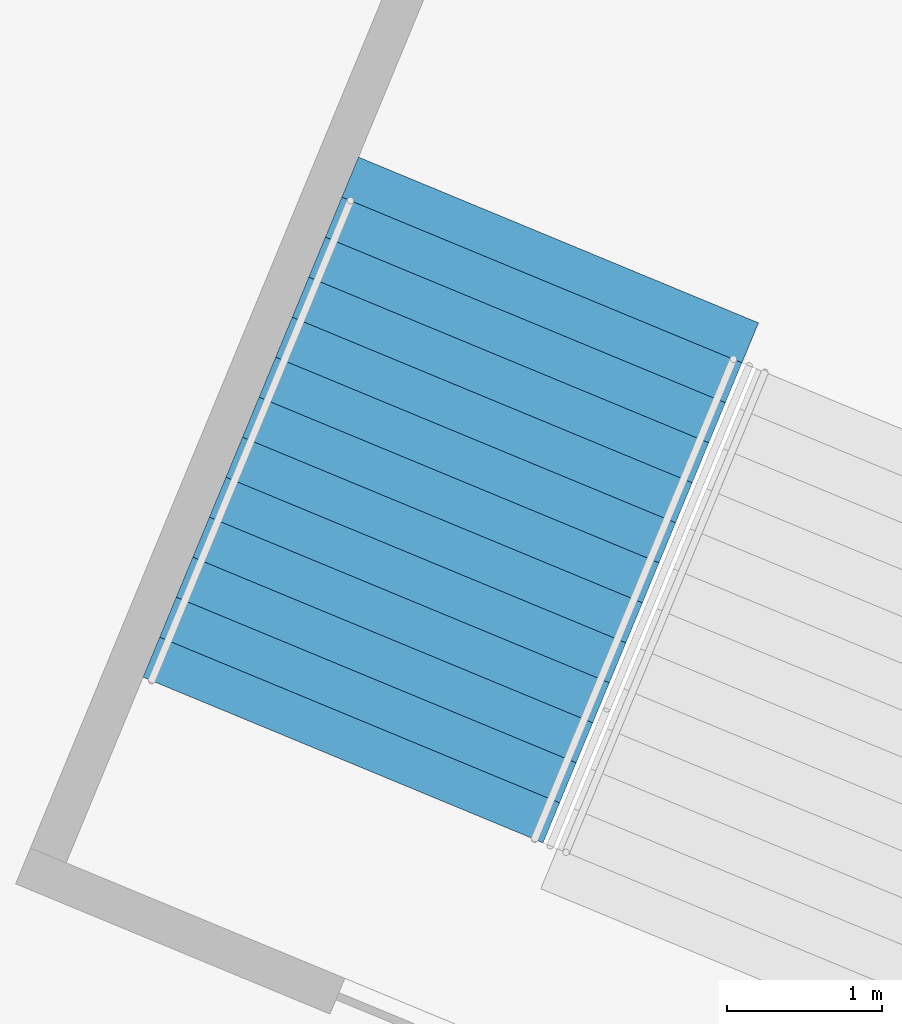
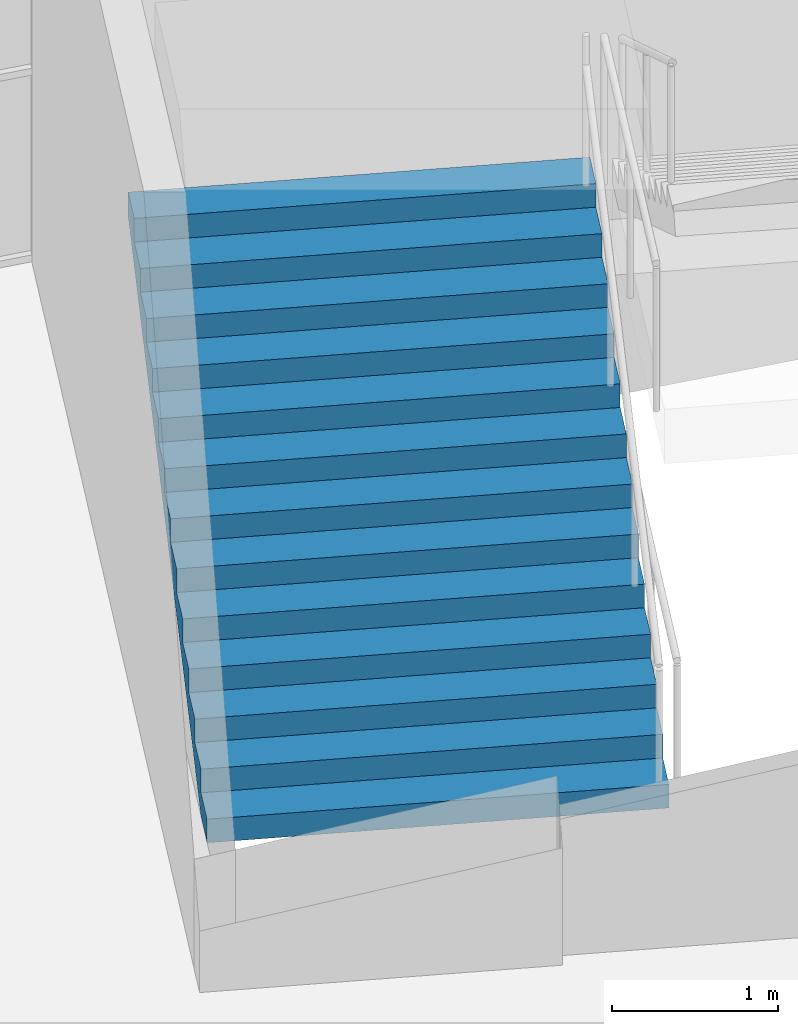
# One storey, part 179 of 199: 1 stair flight, 1 element without a shape of its own.
"""IFC4 building model written with IfcOpenShell, lengths in metres."""

from ifc_helpers import new_model, si_unit, direction, frame, origin, place, context, subcontext, project, spatial, faceted_brep, material, type_object, element, aggregate, save


model = new_model("IFC4")

# Units and contexts
model_context = context("Model", 3, precision=1e-05, world=origin(), true_north=direction((0.0, 1.0)))
body_context = subcontext(model_context, "Body", "Model", "MODEL_VIEW")
ifc_project = project(units=[si_unit("LENGTHUNIT", "METRE"), si_unit("AREAUNIT", "SQUARE_METRE"), si_unit("VOLUMEUNIT", "CUBIC_METRE"), si_unit("PLANEANGLEUNIT", "RADIAN"), si_unit("MASSUNIT", "GRAM", prefix="KILO")], contexts=[model_context])

# Site, building, storey
site_placement = place(None, origin())
site = spatial("IfcSite", under=ifc_project, at=site_placement, CompositionType="ELEMENT")
building_placement = place(site_placement, origin())
building = spatial("IfcBuilding", under=site, at=building_placement, Name="Ogive Plaza Stadium", CompositionType="ELEMENT")
storey_placement = place(building_placement, frame((0.0, 0.0, 9.0)))
storey = spatial("IfcBuildingStorey", under=building, at=storey_placement, Name="L02", CompositionType="ELEMENT", Elevation=9.0)

# Stair, stair flight
ifc_material_1 = material(Name="Concrete C40/50", Category="concrete")
stair_type = type_object("IfcStairType", Name="Exit stair", PredefinedType="STRAIGHT_RUN_STAIR", material=ifc_material_1)
stair_placement = place(storey_placement, origin())
stair = element("IfcStair", 1, at=stair_placement, inside=storey, type_object=stair_type, Name="Exit stair ST38B L02 to L03", PredefinedType="STRAIGHT_RUN_STAIR")
ifc_material_2 = material(Name="Concrete C40/50", Category="concrete")
stair_flight_type = type_object("IfcStairFlightType", Name="Exit stair flight", PredefinedType="STRAIGHT", material=ifc_material_2)
stair_flight_placement = place(storey_placement, frame((46.118408203125, 93.319580078125, 0.0), z_axis=(0.0, 0.0, 1.0), x_axis=(0.382683432365, 0.923879532511, 0.0)))
stair_flight = element("IfcStairFlight", 2, at=stair_flight_placement, type_object=stair_flight_type, Name="ST38B flight 1", NumberOfRisers=13, NumberOfTreads=12, PredefinedType="STRAIGHT", RiserHeight=0.173076923, TreadLength=0.28, context=body_context, shape_type="Brep", body=[
    faceted_brep([(0.28515625, -1.39990234375, 0.0), (3.639892578125, -1.39990234375, 2.07373046875), (3.639892578125, -1.39990234375, 2.25), (3.360107421875, -1.39990234375, 2.25), (3.360107421875, -1.39990234375, 2.076904296875), (3.080078125, -1.39990234375, 2.076904296875), (3.080078125, -1.39990234375, 1.90380859375), (2.800048828125, -1.39990234375, 1.90380859375), (2.800048828125, -1.39990234375, 1.730712890625), (2.52001953125, -1.39990234375, 1.730712890625), (2.52001953125, -1.39990234375, 1.5576171875), (2.239990234375, -1.39990234375, 1.5576171875), (2.239990234375, -1.39990234375, 1.384521484375), (1.9599609375, -1.39990234375, 1.384521484375), (1.9599609375, -1.39990234375, 1.21142578125), (1.679931640625, -1.39990234375, 1.21142578125), (1.679931640625, -1.39990234375, 1.03857421875), (1.39990234375, -1.39990234375, 1.03857421875), (1.39990234375, -1.39990234375, 0.865478515625), (1.1201171875, -1.39990234375, 0.865478515625), (1.1201171875, -1.39990234375, 0.6923828125), (0.840087890625, -1.39990234375, 0.6923828125), (0.840087890625, -1.39990234375, 0.519287109375), (0.56005859375, -1.39990234375, 0.519287109375), (0.56005859375, -1.39990234375, 0.34619140625), (0.280029296875, -1.39990234375, 0.34619140625), (0.280029296875, -1.39990234375, 0.173095703125), (0.0, -1.39990234375, 0.173095703125), (0.0, -1.39990234375, 0.0), (0.0, 1.39990234375, 0.0), (0.0, 1.39990234375, 0.173095703125), (0.280029296875, 1.39990234375, 0.173095703125), (0.280029296875, 1.39990234375, 0.34619140625), (0.56005859375, 1.39990234375, 0.34619140625), (0.56005859375, 1.39990234375, 0.519287109375), (0.840087890625, 1.39990234375, 0.519287109375), (0.840087890625, 1.39990234375, 0.6923828125), (1.1201171875, 1.39990234375, 0.6923828125), (1.1201171875, 1.39990234375, 0.865478515625), (1.39990234375, 1.39990234375, 0.865478515625), (1.39990234375, 1.39990234375, 1.03857421875), (1.679931640625, 1.39990234375, 1.03857421875), (1.679931640625, 1.39990234375, 1.21142578125), (1.9599609375, 1.39990234375, 1.21142578125), (1.9599609375, 1.39990234375, 1.384521484375), (2.239990234375, 1.39990234375, 1.384521484375), (2.239990234375, 1.39990234375, 1.5576171875), (2.52001953125, 1.39990234375, 1.5576171875), (2.52001953125, 1.39990234375, 1.730712890625), (2.800048828125, 1.39990234375, 1.730712890625), (2.800048828125, 1.39990234375, 1.90380859375), (3.080078125, 1.39990234375, 1.90380859375), (3.080078125, 1.39990234375, 2.076904296875), (3.360107421875, 1.39990234375, 2.076904296875), (3.360107421875, 1.39990234375, 2.25), (3.639892578125, 1.39990234375, 2.25), (3.639892578125, 1.39990234375, 2.07373046875), (0.28515625, 1.39990234375, 0.0), (0.28515625, -1.0888671875, 0.0), (3.639892578125, -1.0888671875, 2.07373046875), (0.28515625, -0.77783203125, 0.0), (3.639892578125, -0.77783203125, 2.07373046875), (0.28515625, -0.466796875, 0.0), (3.639892578125, -0.466796875, 2.07373046875), (0.28515625, -0.155517578125, 0.0), (3.639892578125, -0.155517578125, 2.07373046875), (0.28515625, 0.155517578125, 0.0), (3.639892578125, 0.155517578125, 2.07373046875), (0.28515625, 0.466796875, 0.0), (3.639892578125, 0.466796875, 2.07373046875), (0.28515625, 0.77783203125, 0.0), (3.639892578125, 0.77783203125, 2.07373046875), (0.28515625, 1.0888671875, 0.0), (3.639892578125, 1.0888671875, 2.07373046875), (3.639892578125, -1.0888671875, 2.25), (3.639892578125, -0.77783203125, 2.25), (3.639892578125, -0.466796875, 2.25), (3.639892578125, -0.155517578125, 2.25), (3.639892578125, 0.155517578125, 2.25), (3.639892578125, 0.466796875, 2.25), (3.639892578125, 0.77783203125, 2.25), (3.639892578125, 1.0888671875, 2.25), (3.360107421875, -1.0888671875, 2.25), (3.360107421875, -0.77783203125, 2.25), (3.360107421875, -0.466796875, 2.25), (3.360107421875, -0.155517578125, 2.25), (3.360107421875, 0.155517578125, 2.25), (3.360107421875, 0.466796875, 2.25), (3.360107421875, 0.77783203125, 2.25), (3.360107421875, 1.0888671875, 2.25), (3.360107421875, -1.0888671875, 2.076904296875), (3.360107421875, -0.77783203125, 2.076904296875), (3.360107421875, -0.466796875, 2.076904296875), (3.360107421875, -0.155517578125, 2.076904296875), (3.360107421875, 0.155517578125, 2.076904296875), (3.360107421875, 0.466796875, 2.076904296875), (3.360107421875, 0.77783203125, 2.076904296875), (3.360107421875, 1.0888671875, 2.076904296875), (3.080078125, -1.0888671875, 2.076904296875), (3.080078125, -0.77783203125, 2.076904296875), (3.080078125, -0.466796875, 2.076904296875), (3.080078125, -0.155517578125, 2.076904296875), (3.080078125, 0.155517578125, 2.076904296875), (3.080078125, 0.466796875, 2.076904296875), (3.080078125, 0.77783203125, 2.076904296875), (3.080078125, 1.0888671875, 2.076904296875), (3.080078125, -1.0888671875, 1.90380859375), (3.080078125, -0.77783203125, 1.90380859375), (3.080078125, -0.466796875, 1.90380859375), (3.080078125, -0.155517578125, 1.90380859375), (3.080078125, 0.155517578125, 1.90380859375), (3.080078125, 0.466796875, 1.90380859375), (3.080078125, 0.77783203125, 1.90380859375), (3.080078125, 1.0888671875, 1.90380859375), (2.800048828125, -1.0888671875, 1.90380859375), (2.800048828125, -0.77783203125, 1.90380859375), (2.800048828125, -0.466796875, 1.90380859375), (2.800048828125, -0.155517578125, 1.90380859375), (2.800048828125, 0.155517578125, 1.90380859375), (2.800048828125, 0.466796875, 1.90380859375), (2.800048828125, 0.77783203125, 1.90380859375), (2.800048828125, 1.0888671875, 1.90380859375), (2.800048828125, -1.0888671875, 1.730712890625), (2.800048828125, -0.77783203125, 1.730712890625), (2.800048828125, -0.466796875, 1.730712890625), (2.800048828125, -0.155517578125, 1.730712890625), (2.800048828125, 0.155517578125, 1.730712890625), (2.800048828125, 0.466796875, 1.730712890625), (2.800048828125, 0.77783203125, 1.730712890625), (2.800048828125, 1.0888671875, 1.730712890625), (2.52001953125, -1.0888671875, 1.730712890625), (2.52001953125, -0.77783203125, 1.730712890625), (2.52001953125, -0.466796875, 1.730712890625), (2.52001953125, -0.155517578125, 1.730712890625), (2.52001953125, 0.155517578125, 1.730712890625), (2.52001953125, 0.466796875, 1.730712890625), (2.52001953125, 0.77783203125, 1.730712890625), (2.52001953125, 1.0888671875, 1.730712890625), (2.52001953125, -1.0888671875, 1.5576171875), (2.52001953125, -0.77783203125, 1.5576171875), (2.52001953125, -0.466796875, 1.5576171875), (2.52001953125, -0.155517578125, 1.5576171875), (2.52001953125, 0.155517578125, 1.5576171875), (2.52001953125, 0.466796875, 1.5576171875), (2.52001953125, 0.77783203125, 1.5576171875), (2.52001953125, 1.0888671875, 1.5576171875), (2.239990234375, -1.0888671875, 1.5576171875), (2.239990234375, -0.77783203125, 1.5576171875), (2.239990234375, -0.466796875, 1.5576171875), (2.239990234375, -0.155517578125, 1.5576171875), (2.239990234375, 0.155517578125, 1.5576171875), (2.239990234375, 0.466796875, 1.5576171875), (2.239990234375, 0.77783203125, 1.5576171875), (2.239990234375, 1.0888671875, 1.5576171875), (2.239990234375, -1.0888671875, 1.384521484375), (2.239990234375, -0.77783203125, 1.384521484375), (2.239990234375, -0.466796875, 1.384521484375), (2.239990234375, -0.155517578125, 1.384521484375), (2.239990234375, 0.155517578125, 1.384521484375), (2.239990234375, 0.466796875, 1.384521484375), (2.239990234375, 0.77783203125, 1.384521484375), (2.239990234375, 1.0888671875, 1.384521484375), (1.9599609375, -1.0888671875, 1.384521484375), (1.9599609375, -0.77783203125, 1.384521484375), (1.9599609375, -0.466796875, 1.384521484375), (1.9599609375, -0.155517578125, 1.384521484375), (1.9599609375, 0.155517578125, 1.384521484375), (1.9599609375, 0.466796875, 1.384521484375), (1.9599609375, 0.77783203125, 1.384521484375), (1.9599609375, 1.0888671875, 1.384521484375), (1.9599609375, -1.0888671875, 1.21142578125), (1.9599609375, -0.77783203125, 1.21142578125), (1.9599609375, -0.466796875, 1.21142578125), (1.9599609375, -0.155517578125, 1.21142578125), (1.9599609375, 0.155517578125, 1.21142578125), (1.9599609375, 0.466796875, 1.21142578125), (1.9599609375, 0.77783203125, 1.21142578125), (1.9599609375, 1.0888671875, 1.21142578125), (1.679931640625, -1.0888671875, 1.21142578125), (1.679931640625, -0.77783203125, 1.21142578125), (1.679931640625, -0.466796875, 1.21142578125), (1.679931640625, -0.155517578125, 1.21142578125), (1.679931640625, 0.155517578125, 1.21142578125), (1.679931640625, 0.466796875, 1.21142578125), (1.679931640625, 0.77783203125, 1.21142578125), (1.679931640625, 1.0888671875, 1.21142578125), (1.679931640625, -1.0888671875, 1.03857421875), (1.679931640625, -0.77783203125, 1.03857421875), (1.679931640625, -0.466796875, 1.03857421875), (1.679931640625, -0.155517578125, 1.03857421875), (1.679931640625, 0.155517578125, 1.03857421875), (1.679931640625, 0.466796875, 1.03857421875), (1.679931640625, 0.77783203125, 1.03857421875), (1.679931640625, 1.0888671875, 1.03857421875), (1.39990234375, -1.0888671875, 1.03857421875), (1.39990234375, -0.77783203125, 1.03857421875), (1.39990234375, -0.466796875, 1.03857421875), (1.39990234375, -0.155517578125, 1.03857421875), (1.39990234375, 0.155517578125, 1.03857421875), (1.39990234375, 0.466796875, 1.03857421875), (1.39990234375, 0.77783203125, 1.03857421875), (1.39990234375, 1.0888671875, 1.03857421875), (1.39990234375, -1.0888671875, 0.865478515625), (1.39990234375, -0.77783203125, 0.865478515625), (1.39990234375, -0.466796875, 0.865478515625), (1.39990234375, -0.155517578125, 0.865478515625), (1.39990234375, 0.155517578125, 0.865478515625), (1.39990234375, 0.466796875, 0.865478515625), (1.39990234375, 0.77783203125, 0.865478515625), (1.39990234375, 1.0888671875, 0.865478515625), (1.1201171875, -1.0888671875, 0.865478515625), (1.1201171875, -0.77783203125, 0.865478515625), (1.1201171875, -0.466796875, 0.865478515625), (1.1201171875, -0.155517578125, 0.865478515625), (1.1201171875, 0.155517578125, 0.865478515625), (1.1201171875, 0.466796875, 0.865478515625), (1.1201171875, 0.77783203125, 0.865478515625), (1.1201171875, 1.0888671875, 0.865478515625), (1.1201171875, -1.0888671875, 0.6923828125), (1.1201171875, -0.77783203125, 0.6923828125), (1.1201171875, -0.466796875, 0.6923828125), (1.1201171875, -0.155517578125, 0.6923828125), (1.1201171875, 0.155517578125, 0.6923828125), (1.1201171875, 0.466796875, 0.6923828125), (1.1201171875, 0.77783203125, 0.6923828125), (1.1201171875, 1.0888671875, 0.6923828125), (0.840087890625, -1.0888671875, 0.6923828125), (0.840087890625, -0.77783203125, 0.6923828125), (0.840087890625, -0.466796875, 0.6923828125), (0.840087890625, -0.155517578125, 0.6923828125), (0.840087890625, 0.155517578125, 0.6923828125), (0.840087890625, 0.466796875, 0.6923828125), (0.840087890625, 0.77783203125, 0.6923828125), (0.840087890625, 1.0888671875, 0.6923828125), (0.840087890625, -1.0888671875, 0.519287109375), (0.840087890625, -0.77783203125, 0.519287109375), (0.840087890625, -0.466796875, 0.519287109375), (0.840087890625, -0.155517578125, 0.519287109375), (0.840087890625, 0.155517578125, 0.519287109375), (0.840087890625, 0.466796875, 0.519287109375), (0.840087890625, 0.77783203125, 0.519287109375), (0.840087890625, 1.0888671875, 0.519287109375), (0.56005859375, -1.0888671875, 0.519287109375), (0.56005859375, -0.77783203125, 0.519287109375), (0.56005859375, -0.466796875, 0.519287109375), (0.56005859375, -0.155517578125, 0.519287109375), (0.56005859375, 0.155517578125, 0.519287109375), (0.56005859375, 0.466796875, 0.519287109375), (0.56005859375, 0.77783203125, 0.519287109375), (0.56005859375, 1.0888671875, 0.519287109375), (0.56005859375, -1.0888671875, 0.34619140625), (0.56005859375, -0.77783203125, 0.34619140625), (0.56005859375, -0.466796875, 0.34619140625), (0.56005859375, -0.155517578125, 0.34619140625), (0.56005859375, 0.155517578125, 0.34619140625), (0.56005859375, 0.466796875, 0.34619140625), (0.56005859375, 0.77783203125, 0.34619140625), (0.56005859375, 1.0888671875, 0.34619140625), (0.280029296875, -1.0888671875, 0.34619140625), (0.280029296875, -0.77783203125, 0.34619140625), (0.280029296875, -0.466796875, 0.34619140625), (0.280029296875, -0.155517578125, 0.34619140625), (0.280029296875, 0.155517578125, 0.34619140625), (0.280029296875, 0.466796875, 0.34619140625), (0.280029296875, 0.77783203125, 0.34619140625), (0.280029296875, 1.0888671875, 0.34619140625), (0.280029296875, -1.0888671875, 0.173095703125), (0.280029296875, -0.77783203125, 0.173095703125), (0.280029296875, -0.466796875, 0.173095703125), (0.280029296875, -0.155517578125, 0.173095703125), (0.280029296875, 0.155517578125, 0.173095703125), (0.280029296875, 0.466796875, 0.173095703125), (0.280029296875, 0.77783203125, 0.173095703125), (0.280029296875, 1.0888671875, 0.173095703125), (0.0, -1.0888671875, 0.173095703125), (0.0, -0.77783203125, 0.173095703125), (0.0, -0.466796875, 0.173095703125), (0.0, -0.155517578125, 0.173095703125), (0.0, 0.155517578125, 0.173095703125), (0.0, 0.466796875, 0.173095703125), (0.0, 0.77783203125, 0.173095703125), (0.0, 1.0888671875, 0.173095703125), (0.0, -1.0888671875, 0.0), (0.0, -0.77783203125, 0.0), (0.0, -0.466796875, 0.0), (0.0, -0.155517578125, 0.0), (0.0, 0.155517578125, 0.0), (0.0, 0.466796875, 0.0), (0.0, 0.77783203125, 0.0), (0.0, 1.0888671875, 0.0)], [[[0, 1, 2, 3, 4, 5, 6, 7, 8, 9, 10, 11, 12, 13, 14, 15, 16, 17, 18, 19, 20, 21, 22, 23, 24, 25, 26, 27, 28]], [[29, 30, 31, 32, 33, 34, 35, 36, 37, 38, 39, 40, 41, 42, 43, 44, 45, 46, 47, 48, 49, 50, 51, 52, 53, 54, 55, 56, 57]], [[0, 58, 59, 1]], [[58, 60, 61, 59]], [[60, 62, 63, 61]], [[62, 64, 65, 63]], [[64, 66, 67, 65]], [[66, 68, 69, 67]], [[68, 70, 71, 69]], [[70, 72, 73, 71]], [[72, 57, 56, 73]], [[1, 59, 74, 2]], [[59, 61, 75, 74]], [[61, 63, 76, 75]], [[63, 65, 77, 76]], [[65, 67, 78, 77]], [[67, 69, 79, 78]], [[69, 71, 80, 79]], [[71, 73, 81, 80]], [[73, 56, 55, 81]], [[2, 74, 82, 3]], [[74, 75, 83, 82]], [[75, 76, 84, 83]], [[76, 77, 85, 84]], [[77, 78, 86, 85]], [[78, 79, 87, 86]], [[79, 80, 88, 87]], [[80, 81, 89, 88]], [[81, 55, 54, 89]], [[3, 82, 90, 4]], [[82, 83, 91, 90]], [[83, 84, 92, 91]], [[84, 85, 93, 92]], [[85, 86, 94, 93]], [[86, 87, 95, 94]], [[87, 88, 96, 95]], [[88, 89, 97, 96]], [[89, 54, 53, 97]], [[4, 90, 98, 5]], [[90, 91, 99, 98]], [[91, 92, 100, 99]], [[92, 93, 101, 100]], [[93, 94, 102, 101]], [[94, 95, 103, 102]], [[95, 96, 104, 103]], [[96, 97, 105, 104]], [[97, 53, 52, 105]], [[5, 98, 106, 6]], [[98, 99, 107, 106]], [[99, 100, 108, 107]], [[100, 101, 109, 108]], [[101, 102, 110, 109]], [[102, 103, 111, 110]], [[103, 104, 112, 111]], [[104, 105, 113, 112]], [[105, 52, 51, 113]], [[6, 106, 114, 7]], [[106, 107, 115, 114]], [[107, 108, 116, 115]], [[108, 109, 117, 116]], [[109, 110, 118, 117]], [[110, 111, 119, 118]], [[111, 112, 120, 119]], [[112, 113, 121, 120]], [[113, 51, 50, 121]], [[7, 114, 122, 8]], [[114, 115, 123, 122]], [[115, 116, 124, 123]], [[116, 117, 125, 124]], [[117, 118, 126, 125]], [[118, 119, 127, 126]], [[119, 120, 128, 127]], [[120, 121, 129, 128]], [[121, 50, 49, 129]], [[8, 122, 130, 9]], [[122, 123, 131, 130]], [[123, 124, 132, 131]], [[124, 125, 133, 132]], [[125, 126, 134, 133]], [[126, 127, 135, 134]], [[127, 128, 136, 135]], [[128, 129, 137, 136]], [[129, 49, 48, 137]], [[9, 130, 138, 10]], [[130, 131, 139, 138]], [[131, 132, 140, 139]], [[132, 133, 141, 140]], [[133, 134, 142, 141]], [[134, 135, 143, 142]], [[135, 136, 144, 143]], [[136, 137, 145, 144]], [[137, 48, 47, 145]], [[10, 138, 146, 11]], [[138, 139, 147, 146]], [[139, 140, 148, 147]], [[140, 141, 149, 148]], [[141, 142, 150, 149]], [[142, 143, 151, 150]], [[143, 144, 152, 151]], [[144, 145, 153, 152]], [[145, 47, 46, 153]], [[11, 146, 154, 12]], [[146, 147, 155, 154]], [[147, 148, 156, 155]], [[148, 149, 157, 156]], [[149, 150, 158, 157]], [[150, 151, 159, 158]], [[151, 152, 160, 159]], [[152, 153, 161, 160]], [[153, 46, 45, 161]], [[12, 154, 162, 13]], [[154, 155, 163, 162]], [[155, 156, 164, 163]], [[156, 157, 165, 164]], [[157, 158, 166, 165]], [[158, 159, 167, 166]], [[159, 160, 168, 167]], [[160, 161, 169, 168]], [[161, 45, 44, 169]], [[13, 162, 170, 14]], [[162, 163, 171, 170]], [[163, 164, 172, 171]], [[164, 165, 173, 172]], [[165, 166, 174, 173]], [[166, 167, 175, 174]], [[167, 168, 176, 175]], [[168, 169, 177, 176]], [[169, 44, 43, 177]], [[14, 170, 178, 15]], [[170, 171, 179, 178]], [[171, 172, 180, 179]], [[172, 173, 181, 180]], [[173, 174, 182, 181]], [[174, 175, 183, 182]], [[175, 176, 184, 183]], [[176, 177, 185, 184]], [[177, 43, 42, 185]], [[15, 178, 186, 16]], [[178, 179, 187, 186]], [[179, 180, 188, 187]], [[180, 181, 189, 188]], [[181, 182, 190, 189]], [[182, 183, 191, 190]], [[183, 184, 192, 191]], [[184, 185, 193, 192]], [[185, 42, 41, 193]], [[16, 186, 194, 17]], [[186, 187, 195, 194]], [[187, 188, 196, 195]], [[188, 189, 197, 196]], [[189, 190, 198, 197]], [[190, 191, 199, 198]], [[191, 192, 200, 199]], [[192, 193, 201, 200]], [[193, 41, 40, 201]], [[17, 194, 202, 18]], [[194, 195, 203, 202]], [[195, 196, 204, 203]], [[196, 197, 205, 204]], [[197, 198, 206, 205]], [[198, 199, 207, 206]], [[199, 200, 208, 207]], [[200, 201, 209, 208]], [[201, 40, 39, 209]], [[18, 202, 210, 19]], [[202, 203, 211, 210]], [[203, 204, 212, 211]], [[204, 205, 213, 212]], [[205, 206, 214, 213]], [[206, 207, 215, 214]], [[207, 208, 216, 215]], [[208, 209, 217, 216]], [[209, 39, 38, 217]], [[19, 210, 218, 20]], [[210, 211, 219, 218]], [[211, 212, 220, 219]], [[212, 213, 221, 220]], [[213, 214, 222, 221]], [[214, 215, 223, 222]], [[215, 216, 224, 223]], [[216, 217, 225, 224]], [[217, 38, 37, 225]], [[20, 218, 226, 21]], [[218, 219, 227, 226]], [[219, 220, 228, 227]], [[220, 221, 229, 228]], [[221, 222, 230, 229]], [[222, 223, 231, 230]], [[223, 224, 232, 231]], [[224, 225, 233, 232]], [[225, 37, 36, 233]], [[21, 226, 234, 22]], [[226, 227, 235, 234]], [[227, 228, 236, 235]], [[228, 229, 237, 236]], [[229, 230, 238, 237]], [[230, 231, 239, 238]], [[231, 232, 240, 239]], [[232, 233, 241, 240]], [[233, 36, 35, 241]], [[22, 234, 242, 23]], [[234, 235, 243, 242]], [[235, 236, 244, 243]], [[236, 237, 245, 244]], [[237, 238, 246, 245]], [[238, 239, 247, 246]], [[239, 240, 248, 247]], [[240, 241, 249, 248]], [[241, 35, 34, 249]], [[23, 242, 250, 24]], [[242, 243, 251, 250]], [[243, 244, 252, 251]], [[244, 245, 253, 252]], [[245, 246, 254, 253]], [[246, 247, 255, 254]], [[247, 248, 256, 255]], [[248, 249, 257, 256]], [[249, 34, 33, 257]], [[24, 250, 258, 25]], [[250, 251, 259, 258]], [[251, 252, 260, 259]], [[252, 253, 261, 260]], [[253, 254, 262, 261]], [[254, 255, 263, 262]], [[255, 256, 264, 263]], [[256, 257, 265, 264]], [[257, 33, 32, 265]], [[25, 258, 266, 26]], [[258, 259, 267, 266]], [[259, 260, 268, 267]], [[260, 261, 269, 268]], [[261, 262, 270, 269]], [[262, 263, 271, 270]], [[263, 264, 272, 271]], [[264, 265, 273, 272]], [[265, 32, 31, 273]], [[26, 266, 274, 27]], [[266, 267, 275, 274]], [[267, 268, 276, 275]], [[268, 269, 277, 276]], [[269, 270, 278, 277]], [[270, 271, 279, 278]], [[271, 272, 280, 279]], [[272, 273, 281, 280]], [[273, 31, 30, 281]], [[27, 274, 282, 28]], [[274, 275, 283, 282]], [[275, 276, 284, 283]], [[276, 277, 285, 284]], [[277, 278, 286, 285]], [[278, 279, 287, 286]], [[279, 280, 288, 287]], [[280, 281, 289, 288]], [[281, 30, 29, 289]], [[28, 282, 58, 0]], [[282, 283, 60, 58]], [[283, 284, 62, 60]], [[284, 285, 64, 62]], [[285, 286, 66, 64]], [[286, 287, 68, 66]], [[287, 288, 70, 68]], [[288, 289, 72, 70]], [[289, 29, 57, 72]]]),
])
aggregate(stair, [stair_flight])

save(model, "model.ifc")
